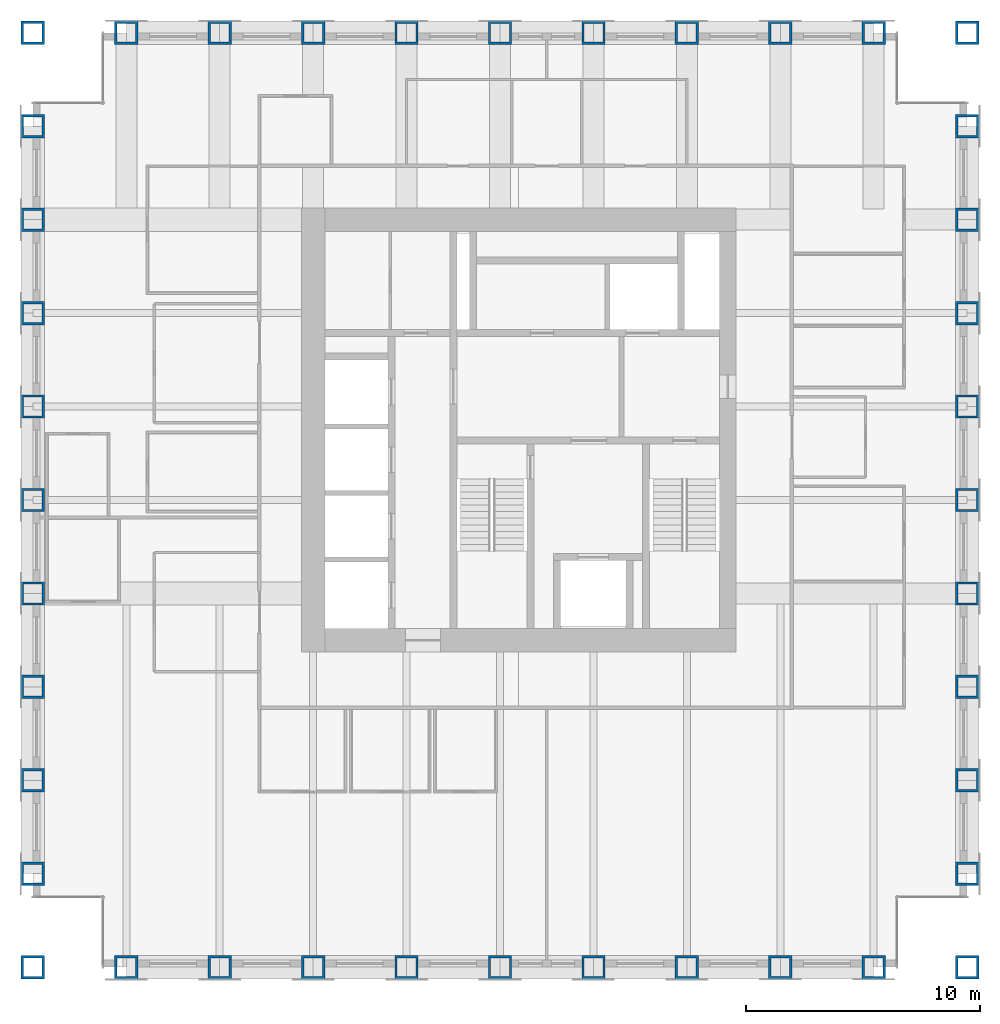
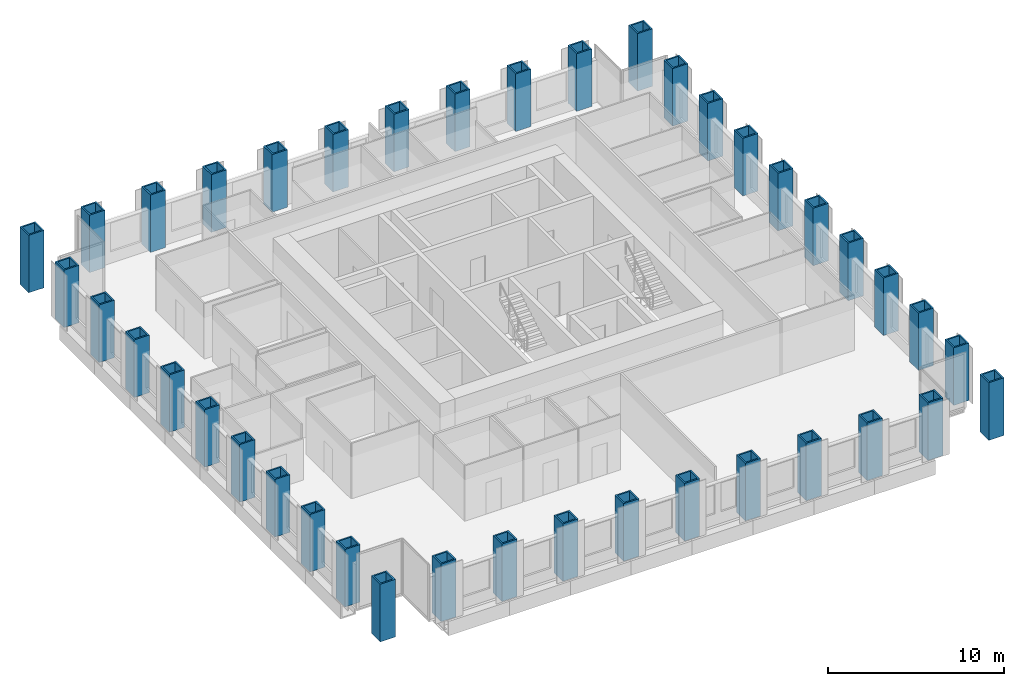
# One storey, part 1 of 13: 40 columns.
"""IFC4 building model written with IfcOpenShell, lengths in metres."""

from ifc_helpers import new_model, si_unit, direction, frame, origin, origin_2d, place, context, subcontext, project, spatial, hollow_rectangle, extrude, material, material_profile, profile_set, type_object, element, save


model = new_model("IFC4")

# Units and contexts
model_context = context("Model", 3, precision=1e-05, world=origin(), true_north=direction((0.0, 1.0)))
body_context = subcontext(model_context, "Body", "Model", "MODEL_VIEW")
ifc_project = project(units=[si_unit("LENGTHUNIT", "METRE"), si_unit("AREAUNIT", "SQUARE_METRE"), si_unit("VOLUMEUNIT", "CUBIC_METRE"), si_unit("PLANEANGLEUNIT", "RADIAN"), si_unit("MASSUNIT", "GRAM", prefix="KILO")], contexts=[model_context])

# Site, building, storey
site_placement = place(None, origin())
site = spatial("IfcSite", under=ifc_project, at=site_placement, CompositionType="ELEMENT")
building_placement = place(site_placement, origin())
building = spatial("IfcBuilding", under=site, at=building_placement, Name="Rimbunsela Tower", CompositionType="ELEMENT")
storey_placement = place(building_placement, frame((0.0, 0.0, 286.199951171875)))
storey = spatial("IfcBuildingStorey", under=building, at=storey_placement, Name="L69", CompositionType="ELEMENT", Elevation=286.199951171875)

# Columns
ifc_material = material(Name="Steel BJ 55 (fy 410 MPa)", Category="steel")
ifc_material_profile = material_profile(ifc_material, hollow_rectangle(XDim=1.0, YDim=1.0, WallThickness=0.10009765625, at=origin_2d()), Name="BOX 1000x1000x100")
ifc_profile_set = profile_set([ifc_material_profile], Name="Steel BJ 55 (fy 410 MPa)")
column_type = type_object("IfcColumnType", Name="Column BOX 1000x1000x100", PredefinedType="COLUMN", material=ifc_profile_set)
for number, where, z_axis, x_axis, name in (
    (1, (6.0, 4.0, 0.0), (0.0, 0.0, 1.0), (1.0, 0.0, 0.0), "Column C1 4/C L69"),
    (2, (6.0, 8.0, 0.0), (0.0, 0.0, 1.0), (1.0, 0.0, 0.0), "Column C1 4/D L69"),
    (3, (6.0, 12.0, 0.0), (0.0, 0.0, 1.0), (1.0, 0.0, 0.0), "Column C1 4/E L69"),
    (4, (6.0, 16.0, 0.0), (0.0, 0.0, 1.0), (1.0, 0.0, 0.0), "Column C1 4/F L69"),
    (5, (6.0, 20.0, 0.0), (0.0, 0.0, 1.0), (1.0, 0.0, 0.0), "Column C1 4/G L69"),
    (6, (6.0, 24.0, 0.0), (0.0, 0.0, 1.0), (1.0, 0.0, 0.0), "Column C1 4/H L69"),
    (7, (6.0, 28.0, 0.0), (0.0, 0.0, 1.0), (1.0, 0.0, 0.0), "Column C1 4/J L69"),
    (8, (6.0, 32.0, 0.0), (0.0, 0.0, 1.0), (1.0, 0.0, 0.0), "Column C1 4/K L69"),
    (9, (6.0, 36.0, 0.0), (0.0, 0.0, 1.0), (1.0, 0.0, 0.0), "Column C1 4/L L69"),
    (10, (6.0, 40.0, 0.0), (0.0, 0.0, 1.0), (1.0, 0.0, 0.0), "Column C1 4/M L69"),
    (11, (6.0, 44.0, 0.0), (0.0, 0.0, 1.0), (1.0, 0.0, 0.0), "Column C1 4/N L69"),
    (12, (10.0, 4.0, 0.0), (0.0, 0.0, 1.0), (1.0, 0.0, 0.0), "Column C1 5/C L69"),
    (13, (10.0, 44.0, 0.0), (0.0, 0.0, 1.0), (1.0, 0.0, 0.0), "Column C1 5/N L69"),
    (14, (14.0, 4.0, 0.0), (0.0, 0.0, 1.0), (1.0, 0.0, 0.0), "Column C1 6/C L69"),
    (15, (14.0, 44.0, 0.0), (0.0, 0.0, 1.0), (1.0, 0.0, 0.0), "Column C1 6/N L69"),
    (16, (18.0, 4.0, 0.0), (0.0, 0.0, 1.0), (1.0, 0.0, 0.0), "Column C1 7/C L69"),
    (17, (18.0, 44.0, 0.0), (0.0, 0.0, 1.0), (1.0, 0.0, 0.0), "Column C1 7/N L69"),
    (18, (22.0, 4.0, 0.0), (0.0, 0.0, 1.0), (1.0, 0.0, 0.0), "Column C1 8/C L69"),
    (19, (22.0, 44.0, 0.0), (0.0, 0.0, 1.0), (1.0, 0.0, 0.0), "Column C1 8/N L69"),
    (20, (26.0, 4.0, 0.0), (0.0, 0.0, 1.0), (1.0, 0.0, 0.0), "Column C1 9/C L69"),
    (21, (26.0, 44.0, 0.0), (0.0, 0.0, 1.0), (1.0, 0.0, 0.0), "Column C1 9/N L69"),
    (22, (30.0, 4.0, 0.0), (0.0, 0.0, 1.0), (1.0, 0.0, 0.0), "Column C1 10/C L69"),
    (23, (30.0, 44.0, 0.0), (0.0, 0.0, 1.0), (1.0, 0.0, 0.0), "Column C1 10/N L69"),
    (24, (34.0, 4.0, 0.0), (0.0, 0.0, 1.0), (1.0, 0.0, 0.0), "Column C1 11/C L69"),
    (25, (34.0, 44.0, 0.0), (0.0, 0.0, 1.0), (1.0, 0.0, 0.0), "Column C1 11/N L69"),
    (26, (38.0, 4.0, 0.0), (0.0, 0.0, 1.0), (1.0, 0.0, 0.0), "Column C1 12/C L69"),
    (27, (38.0, 44.0, 0.0), (0.0, 0.0, 1.0), (1.0, 0.0, 0.0), "Column C1 12/N L69"),
    (28, (42.0, 4.0, 0.0), (0.0, 0.0, 1.0), (1.0, 0.0, 0.0), "Column C1 13/C L69"),
    (29, (42.0, 44.0, 0.0), (0.0, 0.0, 1.0), (1.0, 0.0, 0.0), "Column C1 13/N L69"),
    (30, (46.0, 4.0, 0.0), (0.0, 0.0, 1.0), (1.0, 0.0, 0.0), "Column C1 14/C L69"),
    (31, (46.0, 8.0, 0.0), (0.0, 0.0, 1.0), (1.0, 0.0, 0.0), "Column C1 14/D L69"),
    (32, (46.0, 12.0, 0.0), (0.0, 0.0, 1.0), (1.0, 0.0, 0.0), "Column C1 14/E L69"),
    (33, (46.0, 16.0, 0.0), (0.0, 0.0, 1.0), (1.0, 0.0, 0.0), "Column C1 14/F L69"),
    (34, (46.0, 20.0, 0.0), (0.0, 0.0, 1.0), (1.0, 0.0, 0.0), "Column C1 14/G L69"),
    (35, (46.0, 24.0, 0.0), (0.0, 0.0, 1.0), (1.0, 0.0, 0.0), "Column C1 14/H L69"),
    (36, (46.0, 28.0, 0.0), (0.0, 0.0, 1.0), (1.0, 0.0, 0.0), "Column C1 14/J L69"),
    (37, (46.0, 32.0, 0.0), (0.0, 0.0, 1.0), (1.0, 0.0, 0.0), "Column C1 14/K L69"),
    (38, (46.0, 36.0, 0.0), (0.0, 0.0, 1.0), (1.0, 0.0, 0.0), "Column C1 14/L L69"),
    (39, (46.0, 40.0, 0.0), (0.0, 0.0, 1.0), (1.0, 0.0, 0.0), "Column C1 14/M L69"),
    (40, (46.0, 44.0, 0.0), (0.0, 0.0, 1.0), (1.0, 0.0, 0.0), "Column C1 14/N L69"),
):
    element("IfcColumn", number, at=place(storey_placement, frame(where, z_axis=z_axis, x_axis=x_axis)), inside=storey, type_object=column_type, Name=name, PredefinedType="COLUMN", context=body_context, shape_type="SweptSolid", body=[
        extrude(hollow_rectangle(XDim=1.0, YDim=1.0, WallThickness=0.10009765625, at=origin_2d()), origin(), (0.0, 0.0, 1.0), 4.0),
    ])

save(model, "model.ifc")
